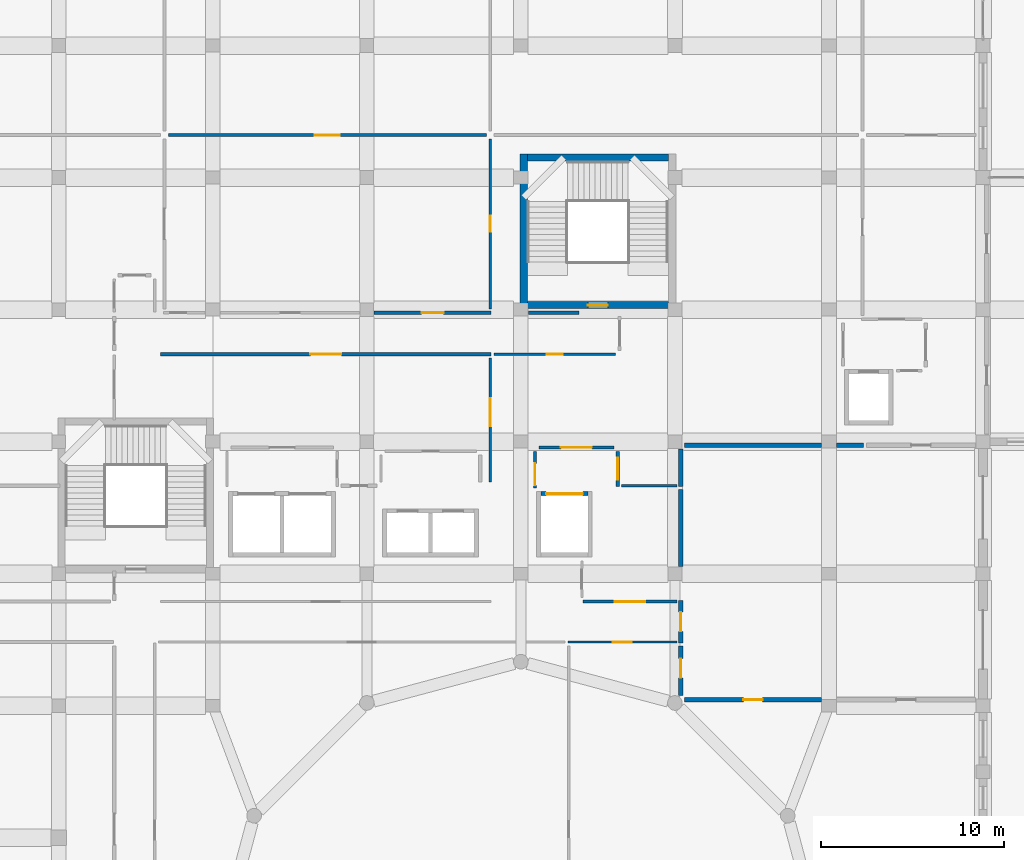
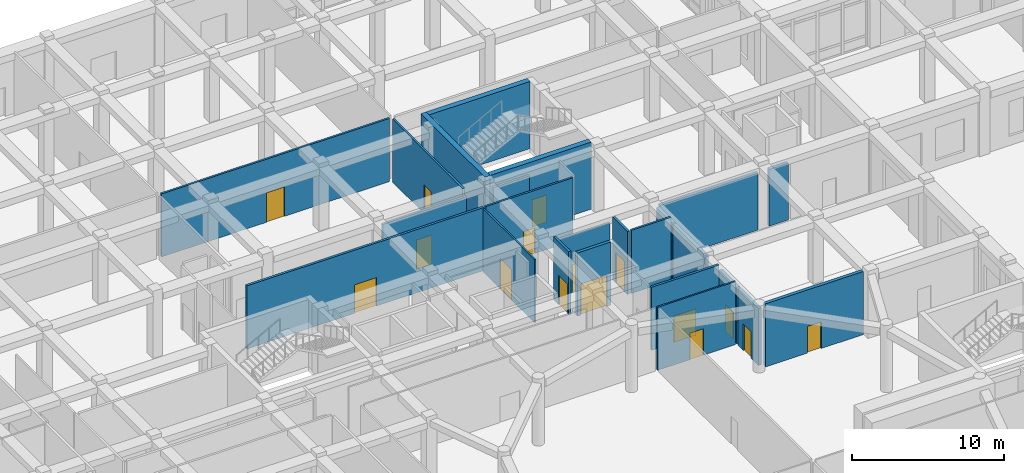
# One storey, part 73 of 84: 24 walls, 16 doors, 16 openings.
"""IFC4 building model written with IfcOpenShell, lengths in metres."""

from ifc_helpers import new_model, si_unit, derived_unit, direction, frame, frame_2d, origin, place, context, subcontext, project, spatial, rectangle, extrude, material, layer, layer_set, type_object, element, fill, save


model = new_model("IFC4")

# Units and contexts
model_context = context("Model", 3, precision=1e-05, world=origin(), true_north=direction((0.0, 1.0)))
body_context = subcontext(model_context, "Body", "Model", "MODEL_VIEW")
ifc_project = project(units=[si_unit("LENGTHUNIT", "METRE"), si_unit("AREAUNIT", "SQUARE_METRE"), si_unit("VOLUMEUNIT", "CUBIC_METRE"), si_unit("PLANEANGLEUNIT", "RADIAN"), si_unit("MASSUNIT", "GRAM", prefix="KILO"), derived_unit("THERMALTRANSMITTANCEUNIT", [(si_unit("POWERUNIT", "WATT"), 1), (si_unit("LENGTHUNIT", "METRE"), -2), (si_unit("THERMODYNAMICTEMPERATUREUNIT", "KELVIN"), -1)])], contexts=[model_context])

# Site, building, storey
site_placement = place(None, origin())
site = spatial("IfcSite", under=ifc_project, at=site_placement, CompositionType="ELEMENT")
building_placement = place(site_placement, origin())
building = spatial("IfcBuilding", under=site, at=building_placement, Name="Veybourne Emporium", CompositionType="ELEMENT")
storey_placement = place(building_placement, origin())
storey = spatial("IfcBuildingStorey", under=building, at=storey_placement, Name="L00", CompositionType="ELEMENT", Elevation=0.0)

# Wall, opening, door
ifc_material_1 = material(Name="Concrete C40/50", Category="concrete")
ifc_layer_1 = layer(ifc_material_1, 0.39990234375)
ifc_layer_set_1 = layer_set([ifc_layer_1], Name="Concrete C40/50")
wall_type_1 = type_object("IfcWallType", Name="IntWall_CW-01", PredefinedType="SHEAR", material=ifc_layer_set_1)
wall_1_placement = place(storey_placement, frame((83.64990234375, 86.64990234375, 0.0), z_axis=(0.0, 0.0, 1.0), x_axis=(-1.0, 0.0, 0.0)))
wall_1 = element("IfcWall", 1, at=wall_1_placement, inside=storey, type_object=wall_type_1, Name="Core stair ST-04 south shear wall (L00)", PredefinedType="SHEAR", context=body_context, shape_type="SweptSolid", body=[
    extrude(rectangle(XDim=7.699951171875, YDim=0.39990234375, at=frame_2d((3.85009765625, 0.0))), origin(), (0.0, 0.0, 1.0), 5.39990234375),
])
opening_1_placement = place(wall_1_placement, frame((3.300048828125, 0.0, 0.0)))
opening_1 = element("IfcOpeningElement", 2, at=opening_1_placement, cuts=wall_1, Name="Opening FD-01", PredefinedType="OPENING", context=body_context, shape_type="SweptSolid", body=[
    extrude(rectangle(XDim=1.10009765625, YDim=2.199951171875, at=frame_2d((0.550048828125, 1.10009765625))), frame((0.0, 0.219970703125, 0.0), z_axis=(0.0, -1.0, 0.0), x_axis=(1.0, 0.0, 0.0)), (0.0, 0.0, 1.0), 0.43994140625),
])
ifc_material_2 = material(Name="Patinated Architectural Bronze", Category="bronze")
door_type_1 = type_object("IfcDoorType", Name="FireDoor_FD-01", OperationType="NOTDEFINED", PredefinedType="DOOR", material=ifc_material_2)
door_1_placement = place(opening_1_placement, origin())
door_1 = element("IfcDoor", 3, at=door_1_placement, inside=storey, type_object=door_type_1, Name="Stair ST-04 fire door (L00)", OperationType="SINGLE_SWING_RIGHT", OverallHeight=2.199951171875, OverallWidth=1.10009765625, PredefinedType="DOOR", context=body_context, shape_type="SweptSolid", body=[
    extrude(rectangle(XDim=1.10009765625, YDim=2.199951171875, at=frame_2d((0.550048828125, 1.10009765625))), frame((0.0, 0.02490234375, 0.0), z_axis=(0.0, -1.0, 0.0), x_axis=(1.0, 0.0, 0.0)), (0.0, 0.0, 1.0), 0.050048828125),
])
fill(opening_1, door_1)

# Walls
wall_2_placement = place(storey_placement, frame((75.949951171875, 94.699951171875, 0.0), z_axis=(0.0, 0.0, 1.0), x_axis=(1.0, 0.0, 0.0)))
element("IfcWall", 4, at=wall_2_placement, inside=storey, type_object=wall_type_1, Name="Core stair ST-04 north shear wall (L00)", PredefinedType="SHEAR", context=body_context, shape_type="SweptSolid", body=[
    extrude(rectangle(XDim=7.699951171875, YDim=0.39990234375, at=frame_2d((3.85009765625, 0.0))), origin(), (0.0, 0.0, 1.0), 5.39990234375),
])
wall_3_placement = place(storey_placement, frame((75.75, 94.89990234375, 0.0), z_axis=(0.0, 0.0, 1.0), x_axis=(0.0, -1.0, 0.0)))
element("IfcWall", 5, at=wall_3_placement, inside=storey, type_object=wall_type_1, Name="Core stair ST-04 west shear wall (L00)", PredefinedType="SHEAR", context=body_context, shape_type="SweptSolid", body=[
    extrude(rectangle(XDim=8.449951171875, YDim=0.39990234375, at=frame_2d((4.22509765625, 0.0))), origin(), (0.0, 0.0, 1.0), 5.39990234375),
])

# Wall, opening, door
ifc_layer_2 = layer(ifc_material_1, 0.239990234375)
ifc_layer_set_2 = layer_set([ifc_layer_2], Name="Concrete C40/50")
wall_type_2 = type_object("IfcWallType", Name="IntWall_CW-04", PredefinedType="SHEAR", material=ifc_layer_set_2)
wall_4_placement = place(storey_placement, frame((79.25, 76.3701171875, 0.0), z_axis=(0.0, 0.0, 1.0), x_axis=(-1.0, 0.0, 0.0)))
wall_4 = element("IfcWall", 6, at=wall_4_placement, inside=storey, type_object=wall_type_2, Name="Lift core C4E north shaft wall (L00)", PredefinedType="SHEAR", context=body_context, shape_type="SweptSolid", body=[
    extrude(rectangle(XDim=2.550048828125, YDim=0.239990234375, at=frame_2d((1.27490234375, 0.0))), origin(), (0.0, 0.0, 1.0), 5.080078125),
])
opening_2_placement = place(wall_4_placement, frame((0.27490234375, 0.0, 0.0)))
opening_2 = element("IfcOpeningElement", 7, at=opening_2_placement, cuts=wall_4, Name="Opening LD-03", PredefinedType="OPENING", context=body_context, shape_type="SweptSolid", body=[
    extrude(rectangle(XDim=2.0, YDim=2.5, at=frame_2d((1.0, 1.25))), frame((0.0, 0.14013671875, 0.0), z_axis=(0.0, -1.0, 0.0), x_axis=(1.0, 0.0, 0.0)), (0.0, 0.0, 1.0), 0.280029296875),
])
door_type_2 = type_object("IfcDoorType", Name="FireDoor_LD-03", OperationType="DOUBLE_DOOR_SLIDING", PredefinedType="DOOR", material=ifc_material_2)
door_2_placement = place(opening_2_placement, origin())
door_2 = element("IfcDoor", 8, at=door_2_placement, inside=storey, type_object=door_type_2, Name="Lift GL-03 sliding landing door (L00)", OperationType="DOUBLE_DOOR_SLIDING", OverallHeight=2.5, OverallWidth=2.0, PredefinedType="DOOR", context=body_context, shape_type="SweptSolid", body=[
    extrude(rectangle(XDim=2.0, YDim=2.5, at=frame_2d((1.0, 1.25))), frame((0.0, 0.02490234375, 0.0), z_axis=(0.0, -1.0, 0.0), x_axis=(1.0, 0.0, 0.0)), (0.0, 0.0, 1.0), 0.050048828125),
])
fill(opening_2, door_2)

ifc_material_3 = material(Name="Concrete C32/40", Category="concrete")
ifc_layer_3 = layer(ifc_material_3, 0.25)
ifc_layer_set_3 = layer_set([ifc_layer_3], Name="Concrete C32/40")
wall_type_3 = type_object("IfcWallType", Name="IntWall_FW-01", PredefinedType="SOLIDWALL", material=ifc_layer_set_3)
wall_5_placement = place(storey_placement, frame((84.530029296875, 65.1201171875, 0.0), z_axis=(0.0, 0.0, 1.0), x_axis=(1.0, 0.0, 0.0)))
wall_5 = element("IfcWall", 9, at=wall_5_placement, inside=storey, type_object=wall_type_3, Name="L00 interior partition FW-01 #027", PredefinedType="SOLIDWALL", context=body_context, shape_type="SweptSolid", body=[
    extrude(rectangle(XDim=7.449951171875, YDim=0.25, at=frame_2d((3.72509765625, 0.0))), origin(), (0.0, 0.0, 1.0), 5.080078125),
])
opening_3_placement = place(wall_5_placement, frame((3.199951171875, 0.0, 0.0)))
opening_3 = element("IfcOpeningElement", 10, at=opening_3_placement, cuts=wall_5, Name="Opening FD-02", PredefinedType="OPENING", context=body_context, shape_type="SweptSolid", body=[
    extrude(rectangle(XDim=1.050048828125, YDim=2.14990234375, at=frame_2d((0.52490234375, 1.074951171875))), frame((0.0, 0.14501953125, 0.0), z_axis=(0.0, -1.0, 0.0), x_axis=(1.0, 0.0, 0.0)), (0.0, 0.0, 1.0), 0.2900390625),
])
door_type_3 = type_object("IfcDoorType", Name="FireDoor_FD-02", OperationType="NOTDEFINED", PredefinedType="DOOR", material=ifc_material_2)
door_3_placement = place(opening_3_placement, origin())
door_3 = element("IfcDoor", 11, at=door_3_placement, inside=storey, type_object=door_type_3, Name="L00 interior door FD-02 (PART-L00-027)", OperationType="SINGLE_SWING_RIGHT", OverallHeight=2.14990234375, OverallWidth=1.050048828125, PredefinedType="DOOR", context=body_context, shape_type="SweptSolid", body=[
    extrude(rectangle(XDim=1.050048828125, YDim=2.14990234375, at=frame_2d((0.52490234375, 1.074951171875))), frame((0.0, 0.02490234375, 0.0), z_axis=(0.0, -1.0, 0.0), x_axis=(1.0, 0.0, 0.0)), (0.0, 0.0, 1.0), 0.050048828125),
])
fill(opening_3, door_3)

wall_6_placement = place(storey_placement, frame((84.320068359375, 65.369140625, 0.0), z_axis=(0.0, 0.0, 1.0), x_axis=(0.0, 1.0, 0.0)))
wall_6 = element("IfcWall", 12, at=wall_6_placement, inside=storey, type_object=wall_type_3, Name="L00 interior partition FW-01 #145", PredefinedType="SOLIDWALL", context=body_context, shape_type="SweptSolid", body=[
    extrude(rectangle(XDim=2.69091796875, YDim=0.25, at=frame_2d((1.345458984375, 0.0))), origin(), (0.0, 0.0, 1.0), 4.580078125),
])
opening_4_placement = place(wall_6_placement, frame((0.95166015625, 0.0, 0.0)))
opening_4 = element("IfcOpeningElement", 13, at=opening_4_placement, cuts=wall_6, Name="Opening FD-02", PredefinedType="OPENING", context=body_context, shape_type="SweptSolid", body=[
    extrude(rectangle(XDim=1.050048828125, YDim=2.14990234375, at=frame_2d((0.52490234375, 1.074951171875))), frame((0.0, 0.14501953125, 0.0), z_axis=(0.0, -1.0, 0.0), x_axis=(1.0, 0.0, 0.0)), (0.0, 0.0, 1.0), 0.2900390625),
])
door_4_placement = place(opening_4_placement, origin())
door_4 = element("IfcDoor", 14, at=door_4_placement, inside=storey, type_object=door_type_3, Name="L00 interior door FD-02 (PART-L00-145)", OperationType="SINGLE_SWING_RIGHT", OverallHeight=2.14990234375, OverallWidth=1.050048828125, PredefinedType="DOOR", context=body_context, shape_type="SweptSolid", body=[
    extrude(rectangle(XDim=1.050048828125, YDim=2.14990234375, at=frame_2d((0.52490234375, 1.074951171875))), frame((0.0, 0.02490234375, 0.0), z_axis=(0.0, -1.0, 0.0), x_axis=(1.0, 0.0, 0.0)), (0.0, 0.0, 1.0), 0.050048828125),
])
fill(opening_4, door_4)

wall_7_placement = place(storey_placement, frame((84.320068359375, 68.219970703125, 0.0), z_axis=(0.0, 0.0, 1.0), x_axis=(0.0, 1.0, 0.0)))
wall_7 = element("IfcWall", 15, at=wall_7_placement, inside=storey, type_object=wall_type_3, Name="L00 interior partition FW-01 #158", PredefinedType="SOLIDWALL", context=body_context, shape_type="SweptSolid", body=[
    extrude(rectangle(XDim=2.31005859375, YDim=0.25, at=frame_2d((1.155029296875, 0.0))), origin(), (0.0, 0.0, 1.0), 4.580078125),
])
opening_5_placement = place(wall_7_placement, frame((0.6298828125, 0.0, 0.0)))
opening_5 = element("IfcOpeningElement", 16, at=opening_5_placement, cuts=wall_7, Name="Opening FD-02", PredefinedType="OPENING", context=body_context, shape_type="SweptSolid", body=[
    extrude(rectangle(XDim=1.050048828125, YDim=2.14990234375, at=frame_2d((0.52490234375, 1.074951171875))), frame((0.0, 0.14501953125, 0.0), z_axis=(0.0, -1.0, 0.0), x_axis=(1.0, 0.0, 0.0)), (0.0, 0.0, 1.0), 0.2900390625),
])
door_5_placement = place(opening_5_placement, frame((1.050048828125, 0.0, 0.0), z_axis=(0.0, 0.0, 1.0), x_axis=(-1.0, 0.0, 0.0)))
door_5 = element("IfcDoor", 17, at=door_5_placement, inside=storey, type_object=door_type_3, Name="L00 interior door FD-02 (PART-L00-158)", OperationType="SINGLE_SWING_LEFT", OverallHeight=2.14990234375, OverallWidth=1.050048828125, PredefinedType="DOOR", context=body_context, shape_type="SweptSolid", body=[
    extrude(rectangle(XDim=1.050048828125, YDim=2.14990234375, at=frame_2d((0.52490234375, 1.074951171875))), frame((0.0, 0.02490234375, 0.0), z_axis=(0.0, -1.0, 0.0), x_axis=(1.0, 0.0, 0.0)), (0.0, 0.0, 1.0), 0.050048828125),
])
fill(opening_5, door_5)

# Walls
wall_8_placement = place(storey_placement, frame((84.530029296875, 79.0, 0.0), z_axis=(0.0, 0.0, 1.0), x_axis=(1.0, 0.0, 0.0)))
element("IfcWall", 18, at=wall_8_placement, inside=storey, type_object=wall_type_3, Name="L00 interior partition FW-01 #212", PredefinedType="SOLIDWALL", context=body_context, shape_type="SweptSolid", body=[
    extrude(rectangle(XDim=7.449951171875, YDim=0.25, at=frame_2d((3.72509765625, 0.0))), origin(), (0.0, 0.0, 1.0), 4.580078125),
])
wall_9_placement = place(storey_placement, frame((92.820068359375, 79.0, 0.0), z_axis=(0.0, 0.0, 1.0), x_axis=(1.0, 0.0, 0.0)))
element("IfcWall", 19, at=wall_9_placement, inside=storey, type_object=wall_type_3, Name="L00 interior partition FW-01 #213", PredefinedType="SOLIDWALL", context=body_context, shape_type="SweptSolid", body=[
    extrude(rectangle(XDim=1.4599609375, YDim=0.25, at=frame_2d((0.72998046875, 0.0))), origin(), (0.0, 0.0, 1.0), 4.580078125),
])
wall_10_placement = place(storey_placement, frame((84.320068359375, 72.39501953125, 0.0), z_axis=(0.0, 0.0, 1.0), x_axis=(0.0, 1.0, 0.0)))
element("IfcWall", 20, at=wall_10_placement, inside=storey, type_object=wall_type_3, Name="L00 interior partition FW-01 #214", PredefinedType="SOLIDWALL", context=body_context, shape_type="SweptSolid", body=[
    extrude(rectangle(XDim=4.195068359375, YDim=0.25, at=frame_2d((2.09765625, 0.0))), origin(), (0.0, 0.0, 1.0), 4.580078125),
])
wall_11_placement = place(storey_placement, frame((84.320068359375, 76.75, 0.0), z_axis=(0.0, 0.0, 1.0), x_axis=(0.0, 1.0, 0.0)))
element("IfcWall", 21, at=wall_11_placement, inside=storey, type_object=wall_type_3, Name="L00 interior partition FW-01 #228", PredefinedType="SOLIDWALL", context=body_context, shape_type="SweptSolid", body=[
    extrude(rectangle(XDim=2.0400390625, YDim=0.25, at=frame_2d((1.02001953125, 0.0))), origin(), (0.0, 0.0, 1.0), 4.580078125),
])

# Wall, opening, door
ifc_material_4 = material(Name="Gypsum Acoustic Board", Category="gypsum")
ifc_layer_4 = layer(ifc_material_4, 0.179931640625)
ifc_layer_set_4 = layer_set([ifc_layer_4], Name="Gypsum Acoustic Board")
wall_type_4 = type_object("IfcWallType", Name="IntWall_IW-01", PredefinedType="PARTITIONING", material=ifc_layer_set_4)
wall_12_placement = place(storey_placement, frame((55.949951171875, 83.969970703125, 0.0), z_axis=(0.0, 0.0, 1.0), x_axis=(1.0, 0.0, 0.0)))
wall_12 = element("IfcWall", 22, at=wall_12_placement, inside=storey, type_object=wall_type_4, Name="L00 interior partition IW-01 #020", PredefinedType="PARTITIONING", context=body_context, shape_type="SweptSolid", body=[
    extrude(rectangle(XDim=18.030029296875, YDim=0.179931640625, at=frame_2d((9.01513671875, 0.0))), origin(), (0.0, 0.0, 1.0), 5.080078125),
])
opening_6_placement = place(wall_12_placement, frame((8.175048828125, 0.0, 0.0)))
opening_6 = element("IfcOpeningElement", 23, at=opening_6_placement, cuts=wall_12, Name="Opening D-24", PredefinedType="OPENING", context=body_context, shape_type="SweptSolid", body=[
    extrude(rectangle(XDim=1.679931640625, YDim=2.2900390625, at=frame_2d((0.83984375, 1.14501953125))), frame((0.0, 0.10986328125, 0.0), z_axis=(0.0, -1.0, 0.0), x_axis=(1.0, 0.0, 0.0)), (0.0, 0.0, 1.0), 0.219970703125),
])
ifc_material_5 = material(Name="European Oak Veneer and Bronze", Category="wood")
door_type_4 = type_object("IfcDoorType", Name="IntDoor_D-24", OperationType="DOUBLE_DOOR_SINGLE_SWING", PredefinedType="DOOR", material=ifc_material_5)
door_6_placement = place(opening_6_placement, frame((1.679931640625, 0.0, 0.0), z_axis=(0.0, 0.0, 1.0), x_axis=(-1.0, 0.0, 0.0)))
door_6 = element("IfcDoor", 24, at=door_6_placement, inside=storey, type_object=door_type_4, Name="L00 interior door D-24 (PART-L00-020)", OperationType="DOUBLE_DOOR_SINGLE_SWING", OverallHeight=2.2900390625, OverallWidth=1.679931640625, PredefinedType="DOOR", context=body_context, shape_type="SweptSolid", body=[
    extrude(rectangle(XDim=1.679931640625, YDim=2.2900390625, at=frame_2d((0.83984375, 1.14501953125))), frame((0.0, 0.02490234375, 0.0), z_axis=(0.0, -1.0, 0.0), x_axis=(1.0, 0.0, 0.0)), (0.0, 0.0, 1.0), 0.050048828125),
])
fill(opening_6, door_6)

wall_13_placement = place(storey_placement, frame((67.594970703125, 86.22998046875, 0.0), z_axis=(0.0, 0.0, 1.0), x_axis=(1.0, 0.0, 0.0)))
wall_13 = element("IfcWall", 25, at=wall_13_placement, inside=storey, type_object=wall_type_4, Name="L00 interior partition IW-01 #023", PredefinedType="PARTITIONING", context=body_context, shape_type="SweptSolid", body=[
    extrude(rectangle(XDim=6.385009765625, YDim=0.179931640625, at=frame_2d((3.1923828125, 0.0))), origin(), (0.0, 0.0, 1.0), 4.580078125),
])
opening_7_placement = place(wall_13_placement, frame((2.592529296875, 0.0, 0.0)))
opening_7 = element("IfcOpeningElement", 26, at=opening_7_placement, cuts=wall_13, Name="Opening D-27", PredefinedType="OPENING", context=body_context, shape_type="SweptSolid", body=[
    extrude(rectangle(XDim=1.199951171875, YDim=2.3701171875, at=frame_2d((0.60009765625, 1.18505859375))), frame((0.0, 0.10986328125, 0.0), z_axis=(0.0, -1.0, 0.0), x_axis=(1.0, 0.0, 0.0)), (0.0, 0.0, 1.0), 0.219970703125),
])
door_type_5 = type_object("IfcDoorType", Name="IntDoor_D-27", OperationType="NOTDEFINED", PredefinedType="DOOR", material=ifc_material_5)
door_7_placement = place(opening_7_placement, origin())
door_7 = element("IfcDoor", 27, at=door_7_placement, inside=storey, type_object=door_type_5, Name="L00 interior door D-27 (PART-L00-023)", OperationType="SINGLE_SWING_LEFT", OverallHeight=2.3701171875, OverallWidth=1.199951171875, PredefinedType="DOOR", context=body_context, shape_type="SweptSolid", body=[
    extrude(rectangle(XDim=1.199951171875, YDim=2.3701171875, at=frame_2d((0.60009765625, 1.18505859375))), frame((0.0, 0.02490234375, 0.0), z_axis=(0.0, -1.0, 0.0), x_axis=(1.0, 0.0, 0.0)), (0.0, 0.0, 1.0), 0.050048828125),
])
fill(opening_7, door_7)

# Wall
wall_14_placement = place(storey_placement, frame((76.02001953125, 86.22998046875, 0.0), z_axis=(0.0, 0.0, 1.0), x_axis=(1.0, 0.0, 0.0)))
element("IfcWall", 28, at=wall_14_placement, inside=storey, type_object=wall_type_4, Name="L00 interior partition IW-01 #104", PredefinedType="PARTITIONING", context=body_context, shape_type="SweptSolid", body=[
    extrude(rectangle(XDim=2.7421875, YDim=0.179931640625, at=frame_2d((1.37109375, 0.0))), origin(), (0.0, 0.0, 1.0), 4.580078125),
])

# Wall, opening, door
wall_15_placement = place(storey_placement, frame((78.97998046875, 70.47998046875, 0.0), z_axis=(0.0, 0.0, 1.0), x_axis=(1.0, 0.0, 0.0)))
wall_15 = element("IfcWall", 29, at=wall_15_placement, inside=storey, type_object=wall_type_4, Name="L00 interior partition IW-01 #116", PredefinedType="PARTITIONING", context=body_context, shape_type="SweptSolid", body=[
    extrude(rectangle(XDim=5.130126953125, YDim=0.179931640625, at=frame_2d((2.56494140625, 0.0))), origin(), (0.0, 0.0, 1.0), 5.080078125),
])
opening_8_placement = place(wall_15_placement, frame((1.72509765625, 0.0, 0.0)))
opening_8 = element("IfcOpeningElement", 30, at=opening_8_placement, cuts=wall_15, Name="Opening D-12", PredefinedType="OPENING", context=body_context, shape_type="SweptSolid", body=[
    extrude(rectangle(XDim=1.679931640625, YDim=2.1298828125, at=frame_2d((0.83984375, 1.06494140625))), frame((0.0, 0.10986328125, 0.0), z_axis=(0.0, -1.0, 0.0), x_axis=(1.0, 0.0, 0.0)), (0.0, 0.0, 1.0), 0.219970703125),
])
door_type_6 = type_object("IfcDoorType", Name="IntDoor_D-12", OperationType="DOUBLE_DOOR_SINGLE_SWING", PredefinedType="DOOR", material=ifc_material_5)
door_8_placement = place(opening_8_placement, origin())
door_8 = element("IfcDoor", 31, at=door_8_placement, inside=storey, type_object=door_type_6, Name="L00 interior door D-12 (PART-L00-116)", OperationType="DOUBLE_DOOR_SINGLE_SWING", OverallHeight=2.1298828125, OverallWidth=1.679931640625, PredefinedType="DOOR", context=body_context, shape_type="SweptSolid", body=[
    extrude(rectangle(XDim=1.679931640625, YDim=2.1298828125, at=frame_2d((0.83984375, 1.06494140625))), frame((0.0, 0.02490234375, 0.0), z_axis=(0.0, -1.0, 0.0), x_axis=(1.0, 0.0, 0.0)), (0.0, 0.0, 1.0), 0.050048828125),
])
fill(opening_8, door_8)

wall_16_placement = place(storey_placement, frame((76.580078125, 78.8798828125, 0.0), z_axis=(0.0, 0.0, 1.0), x_axis=(1.0, 0.0, 0.0)))
wall_16 = element("IfcWall", 32, at=wall_16_placement, inside=storey, type_object=wall_type_4, Name="L00 interior partition IW-01 #122", PredefinedType="PARTITIONING", context=body_context, shape_type="SweptSolid", body=[
    extrude(rectangle(XDim=4.08984375, YDim=0.179931640625, at=frame_2d((2.044921875, 0.0))), origin(), (0.0, 0.0, 1.0), 4.580078125),
])
opening_9_placement = place(wall_16_placement, frame((1.205078125, 0.0, 0.0)))
opening_9 = element("IfcOpeningElement", 33, at=opening_9_placement, cuts=wall_16, Name="Opening D-18", PredefinedType="OPENING", context=body_context, shape_type="SweptSolid", body=[
    extrude(rectangle(XDim=1.679931640625, YDim=2.2099609375, at=frame_2d((0.83984375, 1.10498046875))), frame((0.0, 0.10986328125, 0.0), z_axis=(0.0, -1.0, 0.0), x_axis=(1.0, 0.0, 0.0)), (0.0, 0.0, 1.0), 0.219970703125),
])
door_type_7 = type_object("IfcDoorType", Name="IntDoor_D-18", OperationType="DOUBLE_DOOR_SINGLE_SWING", PredefinedType="DOOR", material=ifc_material_5)
door_9_placement = place(opening_9_placement, origin())
door_9 = element("IfcDoor", 34, at=door_9_placement, inside=storey, type_object=door_type_7, Name="L00 interior door D-18 (PART-L00-122)", OperationType="DOUBLE_DOOR_SINGLE_SWING", OverallHeight=2.2099609375, OverallWidth=1.679931640625, PredefinedType="DOOR", context=body_context, shape_type="SweptSolid", body=[
    extrude(rectangle(XDim=1.679931640625, YDim=2.2099609375, at=frame_2d((0.83984375, 1.10498046875))), frame((0.0, 0.02490234375, 0.0), z_axis=(0.0, -1.0, 0.0), x_axis=(1.0, 0.0, 0.0)), (0.0, 0.0, 1.0), 0.050048828125),
])
fill(opening_9, door_9)

wall_17_placement = place(storey_placement, frame((76.3701171875, 76.672119140625, 0.0), z_axis=(0.0, 0.0, 1.0), x_axis=(0.0, 1.0, 0.0)))
wall_17 = element("IfcWall", 35, at=wall_17_placement, inside=storey, type_object=wall_type_4, Name="L00 interior partition IW-01 #167", PredefinedType="PARTITIONING", context=body_context, shape_type="SweptSolid", body=[
    extrude(rectangle(XDim=1.997802734375, YDim=0.179931640625, at=frame_2d((0.9990234375, 0.0))), origin(), (0.0, 0.0, 1.0), 5.080078125),
])
opening_10_placement = place(wall_17_placement, frame((0.1435546875, 0.0, 0.0)))
opening_10 = element("IfcOpeningElement", 36, at=opening_10_placement, cuts=wall_17, Name="Opening D-27", PredefinedType="OPENING", context=body_context, shape_type="SweptSolid", body=[
    extrude(rectangle(XDim=1.199951171875, YDim=2.3701171875, at=frame_2d((0.60009765625, 1.18505859375))), frame((0.0, 0.10986328125, 0.0), z_axis=(0.0, -1.0, 0.0), x_axis=(1.0, 0.0, 0.0)), (0.0, 0.0, 1.0), 0.219970703125),
])
door_10_placement = place(opening_10_placement, origin())
door_10 = element("IfcDoor", 37, at=door_10_placement, inside=storey, type_object=door_type_5, Name="L00 interior door D-27 (PART-L00-167)", OperationType="SINGLE_SWING_LEFT", OverallHeight=2.3701171875, OverallWidth=1.199951171875, PredefinedType="DOOR", context=body_context, shape_type="SweptSolid", body=[
    extrude(rectangle(XDim=1.199951171875, YDim=2.3701171875, at=frame_2d((0.60009765625, 1.18505859375))), frame((0.0, 0.02490234375, 0.0), z_axis=(0.0, -1.0, 0.0), x_axis=(1.0, 0.0, 0.0)), (0.0, 0.0, 1.0), 0.050048828125),
])
fill(opening_10, door_10)

wall_18_placement = place(storey_placement, frame((80.8798828125, 76.75, 0.0), z_axis=(0.0, 0.0, 1.0), x_axis=(0.0, 1.0, 0.0)))
wall_18 = element("IfcWall", 38, at=wall_18_placement, inside=storey, type_object=wall_type_4, Name="L00 interior partition IW-01 #173", PredefinedType="PARTITIONING", context=body_context, shape_type="SweptSolid", body=[
    extrude(rectangle(XDim=1.919921875, YDim=0.179931640625, at=frame_2d((0.9599609375, 0.0))), origin(), (0.0, 0.0, 1.0), 5.080078125),
])
opening_11_placement = place(wall_18_placement, frame((0.360107421875, 0.0, 0.0)))
opening_11 = element("IfcOpeningElement", 39, at=opening_11_placement, cuts=wall_18, Name="Opening D-33", PredefinedType="OPENING", context=body_context, shape_type="SweptSolid", body=[
    extrude(rectangle(XDim=1.199951171875, YDim=2.449951171875, at=frame_2d((0.60009765625, 1.22509765625))), frame((0.0, 0.10986328125, 0.0), z_axis=(0.0, -1.0, 0.0), x_axis=(1.0, 0.0, 0.0)), (0.0, 0.0, 1.0), 0.219970703125),
])
door_type_8 = type_object("IfcDoorType", Name="IntDoor_D-33", OperationType="NOTDEFINED", PredefinedType="DOOR", material=ifc_material_5)
door_11_placement = place(opening_11_placement, origin())
door_11 = element("IfcDoor", 40, at=door_11_placement, inside=storey, type_object=door_type_8, Name="L00 interior door D-33 (PART-L00-173)", OperationType="SINGLE_SWING_LEFT", OverallHeight=2.449951171875, OverallWidth=1.199951171875, PredefinedType="DOOR", context=body_context, shape_type="SweptSolid", body=[
    extrude(rectangle(XDim=1.199951171875, YDim=2.449951171875, at=frame_2d((0.60009765625, 1.22509765625))), frame((0.0, 0.02490234375, 0.0), z_axis=(0.0, -1.0, 0.0), x_axis=(1.0, 0.0, 0.0)), (0.0, 0.0, 1.0), 0.050048828125),
])
fill(opening_11, door_11)

ifc_layer_5 = layer(ifc_material_4, 0.14990234375)
ifc_layer_set_5 = layer_set([ifc_layer_5], Name="Gypsum Acoustic Board")
wall_type_5 = type_object("IfcWallType", Name="IntWall_IW-02", PredefinedType="PARTITIONING", material=ifc_layer_set_5)
wall_19_placement = place(storey_placement, frame((56.3701171875, 95.919921875, 0.0), z_axis=(0.0, 0.0, 1.0), x_axis=(1.0, 0.0, 0.0)))
wall_19 = element("IfcWall", 41, at=wall_19_placement, inside=storey, type_object=wall_type_5, Name="L00 interior partition IW-02 #024", PredefinedType="PARTITIONING", context=body_context, shape_type="SweptSolid", body=[
    extrude(rectangle(XDim=17.349853515625, YDim=0.14990234375, at=frame_2d((8.6748046875, 0.0))), origin(), (0.0, 0.0, 1.0), 5.080078125),
])
opening_12_placement = place(wall_19_placement, frame((7.9951171875, 0.0, 0.0)))
opening_12 = element("IfcOpeningElement", 42, at=opening_12_placement, cuts=wall_19, Name="Opening D-28", PredefinedType="OPENING", context=body_context, shape_type="SweptSolid", body=[
    extrude(rectangle(XDim=1.360107421875, YDim=2.3701171875, at=frame_2d((0.68017578125, 1.18505859375))), frame((0.0, 0.094970703125, 0.0), z_axis=(0.0, -1.0, 0.0), x_axis=(1.0, 0.0, 0.0)), (0.0, 0.0, 1.0), 0.18994140625),
])
door_type_9 = type_object("IfcDoorType", Name="IntDoor_D-28", OperationType="NOTDEFINED", PredefinedType="DOOR", material=ifc_material_5)
door_12_placement = place(opening_12_placement, origin())
door_12 = element("IfcDoor", 43, at=door_12_placement, inside=storey, type_object=door_type_9, Name="L00 interior door D-28 (PART-L00-024)", OperationType="SINGLE_SWING_RIGHT", OverallHeight=2.3701171875, OverallWidth=1.360107421875, PredefinedType="DOOR", context=body_context, shape_type="SweptSolid", body=[
    extrude(rectangle(XDim=1.360107421875, YDim=2.3701171875, at=frame_2d((0.68017578125, 1.18505859375))), frame((0.0, 0.02490234375, 0.0), z_axis=(0.0, -1.0, 0.0), x_axis=(1.0, 0.0, 0.0)), (0.0, 0.0, 1.0), 0.050048828125),
])
fill(opening_12, door_12)

wall_20_placement = place(storey_placement, frame((73.929931640625, 86.43994140625, 0.0), z_axis=(0.0, 0.0, 1.0), x_axis=(0.0, 1.0, 0.0)))
wall_20 = element("IfcWall", 44, at=wall_20_placement, inside=storey, type_object=wall_type_5, Name="L00 interior partition IW-02 #087", PredefinedType="PARTITIONING", context=body_context, shape_type="SweptSolid", body=[
    extrude(rectangle(XDim=9.27001953125, YDim=0.14990234375, at=frame_2d((4.635009765625, 0.0))), origin(), (0.0, 0.0, 1.0), 5.080078125),
])
opening_13_placement = place(wall_20_placement, frame((4.195068359375, 0.0, 0.0)))
opening_13 = element("IfcOpeningElement", 45, at=opening_13_placement, cuts=wall_20, Name="Opening D-19", PredefinedType="OPENING", context=body_context, shape_type="SweptSolid", body=[
    extrude(rectangle(XDim=0.8798828125, YDim=2.2900390625, at=frame_2d((0.43994140625, 1.14501953125))), frame((0.0, 0.094970703125, 0.0), z_axis=(0.0, -1.0, 0.0), x_axis=(1.0, 0.0, 0.0)), (0.0, 0.0, 1.0), 0.18994140625),
])
door_type_10 = type_object("IfcDoorType", Name="IntDoor_D-19", OperationType="NOTDEFINED", PredefinedType="DOOR", material=ifc_material_5)
door_13_placement = place(opening_13_placement, origin())
door_13 = element("IfcDoor", 46, at=door_13_placement, inside=storey, type_object=door_type_10, Name="L00 interior door D-19 (PART-L00-087)", OperationType="SINGLE_SWING_RIGHT", OverallHeight=2.2900390625, OverallWidth=0.8798828125, PredefinedType="DOOR", context=body_context, shape_type="SweptSolid", body=[
    extrude(rectangle(XDim=0.8798828125, YDim=2.2900390625, at=frame_2d((0.43994140625, 1.14501953125))), frame((0.0, 0.02490234375, 0.0), z_axis=(0.0, -1.0, 0.0), x_axis=(1.0, 0.0, 0.0)), (0.0, 0.0, 1.0), 0.050048828125),
])
fill(opening_13, door_13)

wall_21_placement = place(storey_placement, frame((74.139892578125, 83.969970703125, 0.0), z_axis=(0.0, 0.0, 1.0), x_axis=(1.0, 0.0, 0.0)))
wall_21 = element("IfcWall", 47, at=wall_21_placement, inside=storey, type_object=wall_type_5, Name="L00 interior partition IW-02 #105", PredefinedType="PARTITIONING", context=body_context, shape_type="SweptSolid", body=[
    extrude(rectangle(XDim=6.630126953125, YDim=0.14990234375, at=frame_2d((3.31494140625, 0.0))), origin(), (0.0, 0.0, 1.0), 5.080078125),
])
opening_14_placement = place(wall_21_placement, frame((2.875, 0.0, 0.0)))
opening_14 = element("IfcOpeningElement", 48, at=opening_14_placement, cuts=wall_21, Name="Opening D-01", PredefinedType="OPENING", context=body_context, shape_type="SweptSolid", body=[
    extrude(rectangle(XDim=0.8798828125, YDim=2.050048828125, at=frame_2d((0.43994140625, 1.02490234375))), frame((0.0, 0.094970703125, 0.0), z_axis=(0.0, -1.0, 0.0), x_axis=(1.0, 0.0, 0.0)), (0.0, 0.0, 1.0), 0.18994140625),
])
door_type_11 = type_object("IfcDoorType", Name="IntDoor_D-01", OperationType="NOTDEFINED", PredefinedType="DOOR", material=ifc_material_5)
door_14_placement = place(opening_14_placement, frame((0.8798828125, 0.0, 0.0), z_axis=(0.0, 0.0, 1.0), x_axis=(-1.0, 0.0, 0.0)))
door_14 = element("IfcDoor", 49, at=door_14_placement, inside=storey, type_object=door_type_11, Name="L00 interior door D-01 (PART-L00-105)", OperationType="SINGLE_SWING_RIGHT", OverallHeight=2.050048828125, OverallWidth=0.8798828125, PredefinedType="DOOR", context=body_context, shape_type="SweptSolid", body=[
    extrude(rectangle(XDim=0.8798828125, YDim=2.050048828125, at=frame_2d((0.43994140625, 1.02490234375))), frame((0.0, 0.02490234375, 0.0), z_axis=(0.0, -1.0, 0.0), x_axis=(1.0, 0.0, 0.0)), (0.0, 0.0, 1.0), 0.050048828125),
])
fill(opening_14, door_14)

# Wall
wall_22_placement = place(storey_placement, frame((81.090087890625, 76.800048828125, 0.0), z_axis=(0.0, 0.0, 1.0), x_axis=(1.0, 0.0, 0.0)))
element("IfcWall", 50, at=wall_22_placement, inside=storey, type_object=wall_type_5, Name="L00 interior partition IW-02 #219", PredefinedType="PARTITIONING", context=body_context, shape_type="SweptSolid", body=[
    extrude(rectangle(XDim=3.02001953125, YDim=0.14990234375, at=frame_2d((1.510009765625, 0.0))), origin(), (0.0, 0.0, 1.0), 5.080078125),
])

# Wall, opening, door
ifc_layer_6 = layer(ifc_material_4, 0.1201171875)
ifc_layer_set_6 = layer_set([ifc_layer_6], Name="Gypsum Acoustic Board")
wall_type_6 = type_object("IfcWallType", Name="IntWall_IW-03", PredefinedType="PARTITIONING", material=ifc_layer_set_6)
wall_23_placement = place(storey_placement, frame((73.929931640625, 77.010009765625, 0.0), z_axis=(0.0, 0.0, 1.0), x_axis=(0.0, 1.0, 0.0)))
wall_23 = element("IfcWall", 51, at=wall_23_placement, inside=storey, type_object=wall_type_6, Name="L00 interior partition IW-03 #103", PredefinedType="PARTITIONING", context=body_context, shape_type="SweptSolid", body=[
    extrude(rectangle(XDim=6.75, YDim=0.1201171875, at=frame_2d((3.375, 0.0))), origin(), (0.0, 0.0, 1.0), 5.080078125),
])
opening_15_placement = place(wall_23_placement, frame((3.033447265625, 0.0, 0.0)))
opening_15 = element("IfcOpeningElement", 52, at=opening_15_placement, cuts=wall_23, Name="Opening D-35", PredefinedType="OPENING", context=body_context, shape_type="SweptSolid", body=[
    extrude(rectangle(XDim=1.52001953125, YDim=2.449951171875, at=frame_2d((0.760009765625, 1.22509765625))), frame((0.0, 0.080078125, 0.0), z_axis=(0.0, -1.0, 0.0), x_axis=(1.0, 0.0, 0.0)), (0.0, 0.0, 1.0), 0.16015625),
])
door_type_12 = type_object("IfcDoorType", Name="IntDoor_D-35", OperationType="NOTDEFINED", PredefinedType="DOOR", material=ifc_material_5)
door_15_placement = place(opening_15_placement, origin())
door_15 = element("IfcDoor", 53, at=door_15_placement, inside=storey, type_object=door_type_12, Name="L00 interior door D-35 (PART-L00-103)", OperationType="SINGLE_SWING_LEFT", OverallHeight=2.449951171875, OverallWidth=1.52001953125, PredefinedType="DOOR", context=body_context, shape_type="SweptSolid", body=[
    extrude(rectangle(XDim=1.52001953125, YDim=2.449951171875, at=frame_2d((0.760009765625, 1.22509765625))), frame((0.0, 0.02490234375, 0.0), z_axis=(0.0, -1.0, 0.0), x_axis=(1.0, 0.0, 0.0)), (0.0, 0.0, 1.0), 0.050048828125),
])
fill(opening_15, door_15)

wall_24_placement = place(storey_placement, frame((78.1650390625, 68.27001953125, 0.0), z_axis=(0.0, 0.0, 1.0), x_axis=(1.0, 0.0, 0.0)))
wall_24 = element("IfcWall", 54, at=wall_24_placement, inside=storey, type_object=wall_type_6, Name="L00 interior partition IW-03 #112", PredefinedType="PARTITIONING", context=body_context, shape_type="SweptSolid", body=[
    extrude(rectangle(XDim=5.945068359375, YDim=0.1201171875, at=frame_2d((2.97265625, 0.0))), origin(), (0.0, 0.0, 1.0), 5.080078125),
])
opening_16_placement = place(wall_24_placement, frame((2.452392578125, 0.0, 0.0)))
opening_16 = element("IfcOpeningElement", 55, at=opening_16_placement, cuts=wall_24, Name="Opening D-08", PredefinedType="OPENING", context=body_context, shape_type="SweptSolid", body=[
    extrude(rectangle(XDim=1.0400390625, YDim=2.1298828125, at=frame_2d((0.52001953125, 1.06494140625))), frame((0.0, 0.080078125, 0.0), z_axis=(0.0, -1.0, 0.0), x_axis=(1.0, 0.0, 0.0)), (0.0, 0.0, 1.0), 0.16015625),
])
door_type_13 = type_object("IfcDoorType", Name="IntDoor_D-08", OperationType="NOTDEFINED", PredefinedType="DOOR", material=ifc_material_5)
door_16_placement = place(opening_16_placement, frame((1.0400390625, 0.0, 0.0), z_axis=(0.0, 0.0, 1.0), x_axis=(-1.0, 0.0, 0.0)))
door_16 = element("IfcDoor", 56, at=door_16_placement, inside=storey, type_object=door_type_13, Name="L00 interior door D-08 (PART-L00-112)", OperationType="SINGLE_SWING_RIGHT", OverallHeight=2.1298828125, OverallWidth=1.0400390625, PredefinedType="DOOR", context=body_context, shape_type="SweptSolid", body=[
    extrude(rectangle(XDim=1.0400390625, YDim=2.1298828125, at=frame_2d((0.52001953125, 1.06494140625))), frame((0.0, 0.02490234375, 0.0), z_axis=(0.0, -1.0, 0.0), x_axis=(1.0, 0.0, 0.0)), (0.0, 0.0, 1.0), 0.050048828125),
])
fill(opening_16, door_16)

save(model, "model.ifc")
